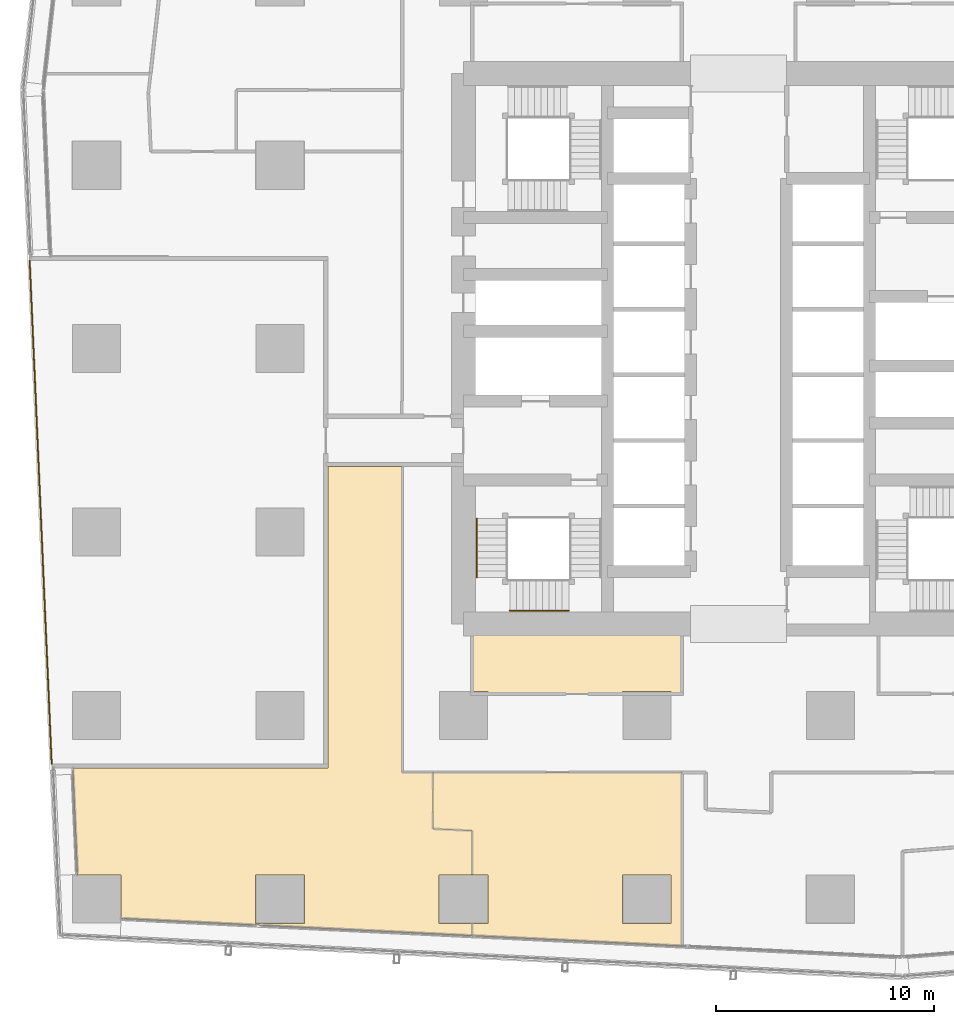
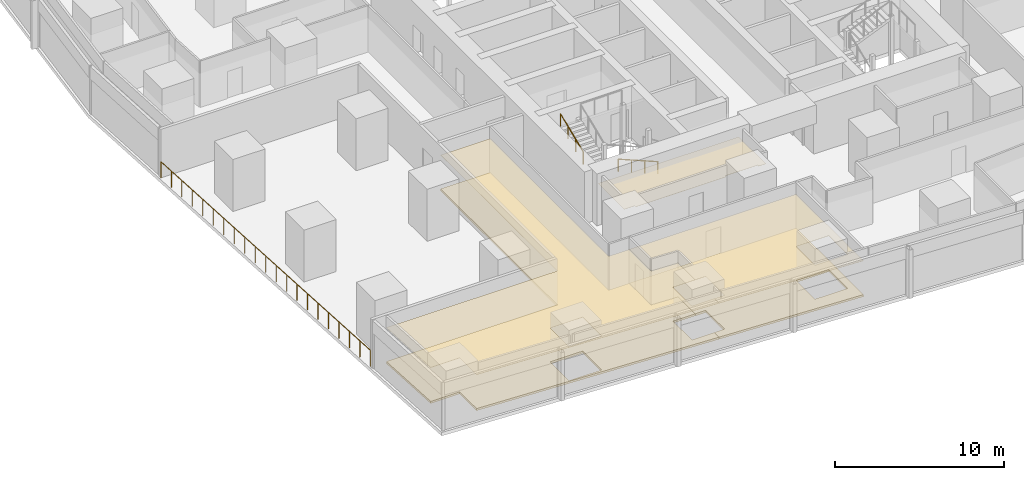
# One storey, part 34 of 42: 5 coverings, 3 railings.
"""IFC4 building model written with IfcOpenShell, lengths in metres."""

from ifc_helpers import new_model, si_unit, direction, frame, origin, origin_2d, place, context, subcontext, project, spatial, polyline, circle, outline, extrude, material, layer, layer_set, type_object, element, save


model = new_model("IFC4")

# Units and contexts
model_context = context("Model", 3, precision=1e-05, world=origin(), true_north=direction((0.0, 1.0)))
body_context = subcontext(model_context, "Body", "Model", "MODEL_VIEW")
ifc_project = project(units=[si_unit("LENGTHUNIT", "METRE"), si_unit("AREAUNIT", "SQUARE_METRE"), si_unit("VOLUMEUNIT", "CUBIC_METRE"), si_unit("PLANEANGLEUNIT", "RADIAN"), si_unit("MASSUNIT", "GRAM", prefix="KILO")], contexts=[model_context])

# Site, building, storey
site_placement = place(None, origin())
site = spatial("IfcSite", under=ifc_project, at=site_placement, CompositionType="ELEMENT")
building_placement = place(site_placement, origin())
building = spatial("IfcBuilding", under=site, at=building_placement, Name="Rekha Terrace Tower", CompositionType="ELEMENT")
storey_placement = place(building_placement, frame((0.0, 0.0, 55.39990234375)))
storey = spatial("IfcBuildingStorey", under=building, at=storey_placement, Name="L13", CompositionType="ELEMENT", Elevation=55.39990234375)

# Coverings
ifc_material_1 = material(Name="Mineral fibre tile in exposed grid", Category="finish")
ifc_layer_1 = layer(ifc_material_1, 0.02001953125)
ifc_layer_set_1 = layer_set([ifc_layer_1], Name="Mineral fibre tile in exposed grid")
covering_type_1 = type_object("IfcCoveringType", Name="CL1 600x1200 office grid ceiling", PredefinedType="CEILING", material=ifc_layer_set_1)
covering_1_placement = place(storey_placement, frame((0.0, 0.0, 2.580078125)))
element("IfcCovering", 1, at=covering_1_placement, inside=storey, type_object=covering_type_1, Name="Ceiling L13-18", PredefinedType="CEILING", context=body_context, shape_type="SweptSolid", body=[
    extrude(outline(polyline([(19.0009765625, 28.198974609375), (19.0009765625, 14.39599609375), (7.320068359375, 14.39599609375), (7.533935546875, 9.514892578125), (9.514892578125, 9.514892578125), (9.514892578125, 7.51806640625), (15.64208984375, 7.217041015625), (15.94091796875, 7.201904296875), (25.60009765625, 6.72802734375), (25.60009765625, 7.284912109375), (24.0849609375, 7.284912109375), (24.0849609375, 9.514892578125), (25.60009765625, 9.514892578125), (25.60009765625, 11.533935546875), (23.801025390625, 11.6220703125), (23.801025390625, 14.199951171875), (22.39990234375, 14.199951171875), (22.39990234375, 28.198974609375), (19.0009765625, 28.198974609375)]), holes=[polyline([(17.9150390625, 7.284912109375), (15.68505859375, 7.284912109375), (15.68505859375, 9.514892578125), (17.9150390625, 9.514892578125), (17.9150390625, 7.284912109375)])]), origin(), (0.0, 0.0, 1.0), 0.02001953125),
])
covering_2_placement = place(storey_placement, frame((0.0, 0.0, 2.580078125)))
element("IfcCovering", 2, at=covering_2_placement, inside=storey, type_object=covering_type_1, Name="Ceiling L13-O5", PredefinedType="CEILING", context=body_context, shape_type="SweptSolid", body=[
    extrude(outline(polyline([(25.60009765625, 7.284912109375), (25.60009765625, 6.72802734375), (35.199951171875, 6.257080078125), (35.199951171875, 14.199951171875), (23.801025390625, 14.199951171875), (23.801025390625, 11.6220703125), (25.60009765625, 11.533935546875), (25.60009765625, 9.514892578125), (26.31494140625, 9.514892578125), (26.31494140625, 7.284912109375), (25.60009765625, 7.284912109375)]), holes=[polyline([(34.715087890625, 7.284912109375), (32.485107421875, 7.284912109375), (32.485107421875, 9.514892578125), (34.715087890625, 9.514892578125), (34.715087890625, 7.284912109375)])]), origin(), (0.0, 0.0, 1.0), 0.02001953125),
])
ifc_material_2 = material(Name="Fibre cement board", Category="finish")
ifc_layer_2 = layer(ifc_material_2, 0.014892578125)
ifc_layer_set_2 = layer_set([ifc_layer_2], Name="Fibre cement board")
covering_type_2 = type_object("IfcCoveringType", Name="CL2 moisture-resistant board ceiling", PredefinedType="CEILING", material=ifc_layer_set_2)
covering_3_placement = place(storey_placement, frame((0.0, 0.0, 2.585205078125)))
element("IfcCovering", 3, at=covering_3_placement, inside=storey, type_object=covering_type_2, Name="Ceiling L13-WCM", PredefinedType="CEILING", context=body_context, shape_type="SweptSolid", body=[
    extrude(outline(polyline([(35.199951171875, 21.0), (25.60009765625, 21.0), (25.60009765625, 17.9150390625), (26.31494140625, 17.9150390625), (26.31494140625, 17.800048828125), (32.485107421875, 17.800048828125), (32.485107421875, 17.9150390625), (34.715087890625, 17.9150390625), (34.715087890625, 17.800048828125), (35.199951171875, 17.800048828125), (35.199951171875, 21.0)])), origin(), (0.0, 0.0, 1.0), 0.014892578125),
])

# Railings
ifc_material_3 = material(Name="Steel guard with vertical balusters", Category="steel")
railing_type_1 = type_object("IfcRailingType", Name="GR2 refuge area guard 1200", PredefinedType="GUARDRAIL", material=ifc_material_3)
railing_1_placement = place(storey_placement, frame((6.35009765625, 14.596923828125, 0.0)))
element("IfcRailing", 4, at=railing_1_placement, inside=storey, type_object=railing_type_1, Name="Refuge area guard L13", PredefinedType="GUARDRAIL", context=body_context, shape_type="SweptSolid", body=[
    extrude(circle(Radius=0.02392578125, at=origin_2d()), frame((0.0, 0.0, 1.17578125), z_axis=(-0.043681700638, 0.999045498979, 0.0), x_axis=(-0.999045498979, -0.043681700638, 0.0)), (0.0, 0.0, 1.0), 23.054931640625),
    extrude(circle(Radius=0.02099609375, at=origin_2d()), origin(), (0.0, 0.0, 1.0), 1.15185546875),
    extrude(circle(Radius=0.02099609375, at=origin_2d()), frame((-0.05029296875, 1.151611328125, 0.0)), (0.0, 0.0, 1.0), 1.15185546875),
    extrude(circle(Radius=0.02099609375, at=origin_2d()), frame((-0.1005859375, 2.30322265625, 0.0)), (0.0, 0.0, 1.0), 1.15185546875),
    extrude(circle(Radius=0.02099609375, at=origin_2d()), frame((-0.151123046875, 3.454833984375, 0.0)), (0.0, 0.0, 1.0), 1.15185546875),
    extrude(circle(Radius=0.02099609375, at=origin_2d()), frame((-0.201416015625, 4.606689453125, 0.0)), (0.0, 0.0, 1.0), 1.15185546875),
    extrude(circle(Radius=0.02099609375, at=origin_2d()), frame((-0.251708984375, 5.75830078125, 0.0)), (0.0, 0.0, 1.0), 1.15185546875),
    extrude(circle(Radius=0.02099609375, at=origin_2d()), frame((-0.30224609375, 6.909912109375, 0.0)), (0.0, 0.0, 1.0), 1.15185546875),
    extrude(circle(Radius=0.02099609375, at=origin_2d()), frame((-0.3525390625, 8.0615234375, 0.0)), (0.0, 0.0, 1.0), 1.15185546875),
    extrude(circle(Radius=0.02099609375, at=origin_2d()), frame((-0.40283203125, 9.213134765625, 0.0)), (0.0, 0.0, 1.0), 1.15185546875),
    extrude(circle(Radius=0.02099609375, at=origin_2d()), frame((-0.453125, 10.36474609375, 0.0)), (0.0, 0.0, 1.0), 1.15185546875),
    extrude(circle(Radius=0.02099609375, at=origin_2d()), frame((-0.50341796875, 11.5166015625, 0.0)), (0.0, 0.0, 1.0), 1.15185546875),
    extrude(circle(Radius=0.02099609375, at=origin_2d()), frame((-0.553955078125, 12.668212890625, 0.0)), (0.0, 0.0, 1.0), 1.15185546875),
    extrude(circle(Radius=0.02099609375, at=origin_2d()), frame((-0.604248046875, 13.81982421875, 0.0)), (0.0, 0.0, 1.0), 1.15185546875),
    extrude(circle(Radius=0.02099609375, at=origin_2d()), frame((-0.654541015625, 14.971435546875, 0.0)), (0.0, 0.0, 1.0), 1.15185546875),
    extrude(circle(Radius=0.02099609375, at=origin_2d()), frame((-0.705078125, 16.123046875, 0.0)), (0.0, 0.0, 1.0), 1.15185546875),
    extrude(circle(Radius=0.02099609375, at=origin_2d()), frame((-0.75537109375, 17.274658203125, 0.0)), (0.0, 0.0, 1.0), 1.15185546875),
    extrude(circle(Radius=0.02099609375, at=origin_2d()), frame((-0.8056640625, 18.42626953125, 0.0)), (0.0, 0.0, 1.0), 1.15185546875),
    extrude(circle(Radius=0.02099609375, at=origin_2d()), frame((-0.85595703125, 19.578125, 0.0)), (0.0, 0.0, 1.0), 1.15185546875),
    extrude(circle(Radius=0.02099609375, at=origin_2d()), frame((-0.90625, 20.729736328125, 0.0)), (0.0, 0.0, 1.0), 1.15185546875),
    extrude(circle(Radius=0.02099609375, at=origin_2d()), frame((-0.956787109375, 21.88134765625, 0.0)), (0.0, 0.0, 1.0), 1.15185546875),
    extrude(circle(Radius=0.02099609375, at=origin_2d()), frame((-1.007080078125, 23.032958984375, 0.0)), (0.0, 0.0, 1.0), 1.15185546875),
])
ifc_material_4 = material(Name="Stainless steel tube", Category="steel")
railing_type_2 = type_object("IfcRailingType", Name="HR1 900 stair handrail", PredefinedType="HANDRAIL", material=ifc_material_4)
railing_2_placement = place(storey_placement, frame((30.02490234375, 21.610107421875, 1.375)))
element("IfcRailing", 5, at=railing_2_placement, inside=storey, type_object=railing_type_2, Name="Handrail ST1 L13 flight 2", PredefinedType="HANDRAIL", context=body_context, shape_type="SweptSolid", body=[
    extrude(circle(Radius=0.02392578125, at=origin_2d()), frame((0.0, 0.0, 0.8759765625), z_axis=(-0.923074453586, 0.0, 0.384621311341), x_axis=(0.0, -1.0, 0.0)), (0.0, 0.0, 1.0), 2.925048828125),
    extrude(circle(Radius=0.02099609375, at=origin_2d()), origin(), (0.0, 0.0, 1.0), 0.851806640625),
    extrude(circle(Radius=0.02099609375, at=origin_2d()), frame((-0.89990234375, 0.0, 0.375)), (0.0, 0.0, 1.0), 0.851806640625),
    extrude(circle(Radius=0.02099609375, at=origin_2d()), frame((-1.800048828125, 0.0, 0.75)), (0.0, 0.0, 1.0), 0.851806640625),
    extrude(circle(Radius=0.02099609375, at=origin_2d()), frame((-2.699951171875, 0.0, 1.125)), (0.0, 0.0, 1.0), 0.851806640625),
])
railing_3_placement = place(storey_placement, frame((25.81005859375, 23.125, 2.625)))
element("IfcRailing", 6, at=railing_3_placement, inside=storey, type_object=railing_type_2, Name="Handrail ST1 L13 flight 3", PredefinedType="HANDRAIL", context=body_context, shape_type="SweptSolid", body=[
    extrude(circle(Radius=0.02392578125, at=origin_2d()), frame((0.0, 0.0, 0.8759765625), z_axis=(0.0, 0.923074453586, 0.384621311341), x_axis=(-1.0, 0.0, 0.0)), (0.0, 0.0, 1.0), 2.925048828125),
    extrude(circle(Radius=0.02099609375, at=origin_2d()), origin(), (0.0, 0.0, 1.0), 0.851806640625),
    extrude(circle(Radius=0.02099609375, at=origin_2d()), frame((0.0, 0.89990234375, 0.375)), (0.0, 0.0, 1.0), 0.851806640625),
    extrude(circle(Radius=0.02099609375, at=origin_2d()), frame((0.0, 1.800048828125, 0.75)), (0.0, 0.0, 1.0), 0.851806640625),
    extrude(circle(Radius=0.02099609375, at=origin_2d()), frame((0.0, 2.699951171875, 1.125)), (0.0, 0.0, 1.0), 0.851806640625),
])

# Coverings
ifc_material_5 = material(Name="Calcium sulphate panels on steel pedestals", Category="steel")
ifc_layer_3 = layer(ifc_material_5, 0.14990234375)
ifc_layer_set_3 = layer_set([ifc_layer_3], Name="Calcium sulphate panels on steel pedestals")
covering_type_3 = type_object("IfcCoveringType", Name="RF1 150 raised access floor", PredefinedType="FLOORING", material=ifc_layer_set_3)
covering_4_placement = place(storey_placement, origin())
element("IfcCovering", 7, at=covering_4_placement, inside=storey, type_object=covering_type_3, Name="Raised floor L13-18", PredefinedType="FLOORING", context=body_context, shape_type="SweptSolid", body=[
    extrude(outline(polyline([(19.0009765625, 28.198974609375), (19.0009765625, 14.39599609375), (7.320068359375, 14.39599609375), (7.533935546875, 9.514892578125), (9.514892578125, 9.514892578125), (9.514892578125, 7.51806640625), (15.64208984375, 7.217041015625), (15.94091796875, 7.201904296875), (25.60009765625, 6.72802734375), (25.60009765625, 7.284912109375), (24.0849609375, 7.284912109375), (24.0849609375, 9.514892578125), (25.60009765625, 9.514892578125), (25.60009765625, 11.533935546875), (23.801025390625, 11.6220703125), (23.801025390625, 14.199951171875), (22.39990234375, 14.199951171875), (22.39990234375, 28.198974609375), (19.0009765625, 28.198974609375)]), holes=[polyline([(17.9150390625, 7.284912109375), (15.68505859375, 7.284912109375), (15.68505859375, 9.514892578125), (17.9150390625, 9.514892578125), (17.9150390625, 7.284912109375)])]), origin(), (0.0, 0.0, 1.0), 0.150146484375),
])
covering_5_placement = place(storey_placement, origin())
element("IfcCovering", 8, at=covering_5_placement, inside=storey, type_object=covering_type_3, Name="Raised floor L13-O5", PredefinedType="FLOORING", context=body_context, shape_type="SweptSolid", body=[
    extrude(outline(polyline([(25.60009765625, 7.284912109375), (25.60009765625, 6.72802734375), (35.199951171875, 6.257080078125), (35.199951171875, 14.199951171875), (23.801025390625, 14.199951171875), (23.801025390625, 11.6220703125), (25.60009765625, 11.533935546875), (25.60009765625, 9.514892578125), (26.31494140625, 9.514892578125), (26.31494140625, 7.284912109375), (25.60009765625, 7.284912109375)]), holes=[polyline([(34.715087890625, 7.284912109375), (32.485107421875, 7.284912109375), (32.485107421875, 9.514892578125), (34.715087890625, 9.514892578125), (34.715087890625, 7.284912109375)])]), origin(), (0.0, 0.0, 1.0), 0.150146484375),
])

save(model, "model.ifc")
